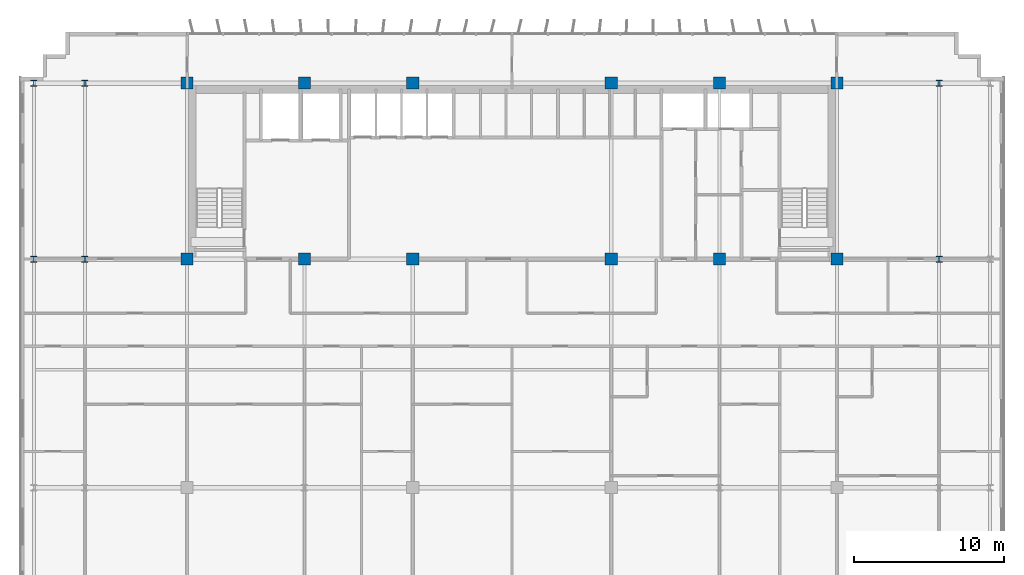
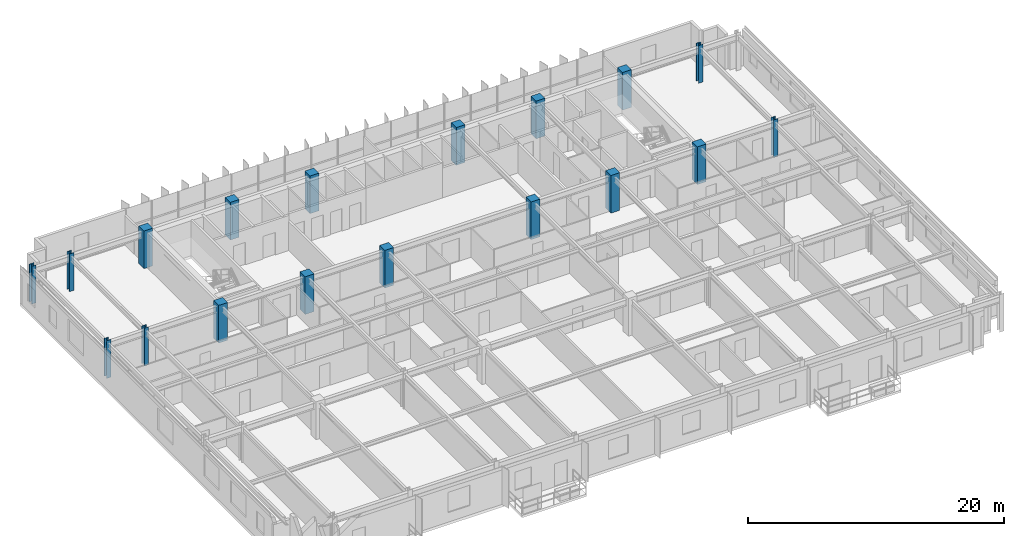
# One storey, part 2 of 21: 18 columns.
"""IFC4 building model written with IfcOpenShell, lengths in metres."""

from ifc_helpers import new_model, si_unit, direction, frame, origin, origin_2d, place, context, subcontext, project, spatial, rectangle, i_section, extrude, source, transform, mapped, material, material_profile, profile_set, type_object, element, save


model = new_model("IFC4")

# Units and contexts
model_context = context("Model", 3, precision=1e-05, world=origin(), true_north=direction((0.0, 1.0)))
body_context = subcontext(model_context, "Body", "Model", "MODEL_VIEW")
ifc_project = project(units=[si_unit("LENGTHUNIT", "METRE"), si_unit("AREAUNIT", "SQUARE_METRE"), si_unit("VOLUMEUNIT", "CUBIC_METRE"), si_unit("PLANEANGLEUNIT", "RADIAN"), si_unit("MASSUNIT", "GRAM", prefix="KILO")], contexts=[model_context])

# Site, building, storey
site_placement = place(None, origin())
site = spatial("IfcSite", under=ifc_project, at=site_placement, CompositionType="ELEMENT")
building_placement = place(site_placement, origin())
building = spatial("IfcBuilding", under=site, at=building_placement, Name="Trelvane Seafront Commons", CompositionType="ELEMENT")
storey_placement = place(building_placement, frame((0.0, 0.0, 106.89990234375)))
storey = spatial("IfcBuildingStorey", under=building, at=storey_placement, Name="L27", CompositionType="ELEMENT", Elevation=106.89990234375)

# Columns
ifc_material_1 = material(Name="Steel SM355 (S355)", Category="steel")
ifc_material_profile_1 = material_profile(ifc_material_1, i_section(OverallWidth=0.39990234375, OverallDepth=0.39990234375, WebThickness=0.02197265625, FlangeThickness=0.034912109375, at=origin_2d()), Name="HD-400x400x22x35")
ifc_profile_set_1 = profile_set([ifc_material_profile_1], Name="Steel SM355 (S355)")
column_type_1 = type_object("IfcColumnType", Name="STR-COL-HD400", PredefinedType="COLUMN", material=ifc_profile_set_1)
shared_shape_1 = source(origin(), body_context, "Body", "SweptSolid", [
    extrude(i_section(OverallWidth=0.39990234375, OverallDepth=0.39990234375, WebThickness=0.02197265625, FlangeThickness=0.034912109375, at=origin_2d()), origin(), (0.0, 0.0, 1.0), 3.60009765625),
])
for number, where, z_axis, x_axis, name in (
    (1, (5.39990234375, 33.39990234375, 0.0), (0.0, 0.0, 1.0), (1.0, 0.0, 0.0), "L27 Column TC-CS5.4"),
    (2, (5.39990234375, 45.10009765625, 0.0), (0.0, 0.0, 1.0), (1.0, 0.0, 0.0), "L27 Column TC-CN5.4"),
    (3, (8.800048828125, 33.39990234375, 0.0), (0.0, 0.0, 1.0), (1.0, 0.0, 0.0), "L27 Column TC-CS8.8"),
    (4, (8.800048828125, 45.10009765625, 0.0), (0.0, 0.0, 1.0), (1.0, 0.0, 0.0), "L27 Column TC-CN8.8"),
    (5, (65.60009765625, 33.39990234375, 0.0), (0.0, 0.0, 1.0), (1.0, 0.0, 0.0), "L27 Column TC-CS65.6"),
    (6, (65.60009765625, 45.10009765625, 0.0), (0.0, 0.0, 1.0), (1.0, 0.0, 0.0), "L27 Column TC-CN65.6"),
):
    element("IfcColumn", number, at=place(storey_placement, frame(where, z_axis=z_axis, x_axis=x_axis)), inside=storey, type_object=column_type_1, Name=name, PredefinedType="COLUMN", context=body_context, shape_type="MappedRepresentation", body=[
        mapped(shared_shape_1, transform((0.0, 0.0, 0.0), x_axis=(1.0, 0.0, 0.0), y_axis=(0.0, 1.0, 0.0), z_axis=(0.0, 0.0, 1.0), scale=1.0)),
    ])
ifc_material_2 = material(Name="Concrete C60/75", Category="concrete")
ifc_material_profile_2 = material_profile(ifc_material_2, rectangle(XDim=0.800048828125, YDim=0.800048828125, at=origin_2d()), Name="RC-800x800")
ifc_profile_set_2 = profile_set([ifc_material_profile_2], Name="Concrete C60/75")
column_type_2 = type_object("IfcColumnType", Name="STR-COL-RC800", PredefinedType="COLUMN", material=ifc_profile_set_2)
shared_shape_2 = source(origin(), body_context, "Body", "SweptSolid", [
    extrude(rectangle(XDim=0.800048828125, YDim=0.800048828125, at=origin_2d()), origin(), (0.0, 0.0, 1.0), 3.60009765625),
])
for number, where, z_axis, x_axis, name in (
    (7, (15.60009765625, 33.39990234375, 0.0), (0.0, 0.0, 1.0), (1.0, 0.0, 0.0), "L27 Column TC-CS15.6"),
    (8, (15.60009765625, 45.10009765625, 0.0), (0.0, 0.0, 1.0), (1.0, 0.0, 0.0), "L27 Column TC-CN15.6"),
    (9, (23.39990234375, 33.39990234375, 0.0), (0.0, 0.0, 1.0), (1.0, 0.0, 0.0), "L27 Column TC-CS23.4"),
    (10, (23.39990234375, 45.10009765625, 0.0), (0.0, 0.0, 1.0), (1.0, 0.0, 0.0), "L27 Column TC-CN23.4"),
    (11, (30.60009765625, 33.39990234375, 0.0), (0.0, 0.0, 1.0), (1.0, 0.0, 0.0), "L27 Column TC-CS30.6"),
    (12, (30.60009765625, 45.10009765625, 0.0), (0.0, 0.0, 1.0), (1.0, 0.0, 0.0), "L27 Column TC-CN30.6"),
    (13, (43.800048828125, 33.39990234375, 0.0), (0.0, 0.0, 1.0), (1.0, 0.0, 0.0), "L27 Column TC-CS43.8"),
    (14, (43.800048828125, 45.10009765625, 0.0), (0.0, 0.0, 1.0), (1.0, 0.0, 0.0), "L27 Column TC-CN43.8"),
    (15, (51.0, 33.39990234375, 0.0), (0.0, 0.0, 1.0), (1.0, 0.0, 0.0), "L27 Column TC-CS51.0"),
    (16, (51.0, 45.10009765625, 0.0), (0.0, 0.0, 1.0), (1.0, 0.0, 0.0), "L27 Column TC-CN51.0"),
    (17, (58.800048828125, 33.39990234375, 0.0), (0.0, 0.0, 1.0), (1.0, 0.0, 0.0), "L27 Column TC-CS58.8"),
    (18, (58.800048828125, 45.10009765625, 0.0), (0.0, 0.0, 1.0), (1.0, 0.0, 0.0), "L27 Column TC-CN58.8"),
):
    element("IfcColumn", number, at=place(storey_placement, frame(where, z_axis=z_axis, x_axis=x_axis)), inside=storey, type_object=column_type_2, Name=name, PredefinedType="COLUMN", context=body_context, shape_type="MappedRepresentation", body=[
        mapped(shared_shape_2, transform((0.0, 0.0, 0.0), x_axis=(1.0, 0.0, 0.0), y_axis=(0.0, 1.0, 0.0), z_axis=(0.0, 0.0, 1.0), scale=1.0)),
    ])

save(model, "model.ifc")
